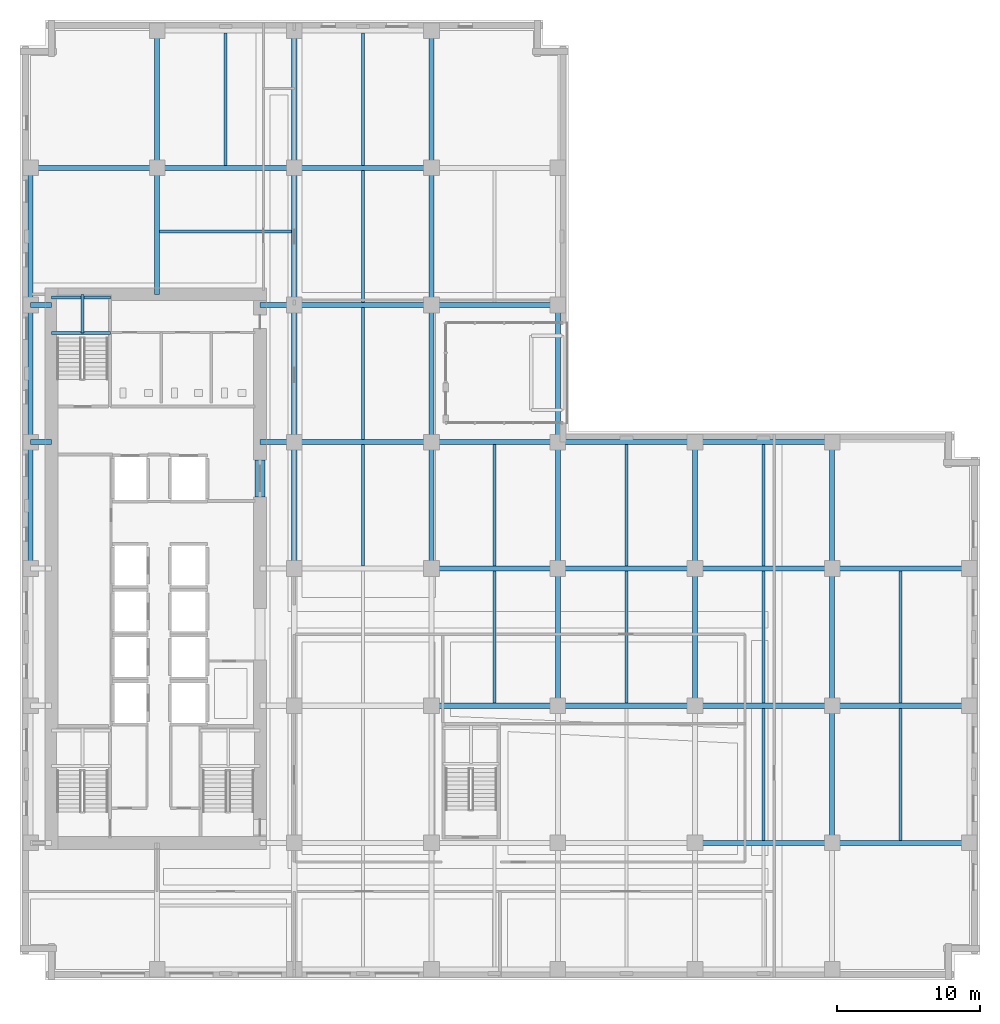
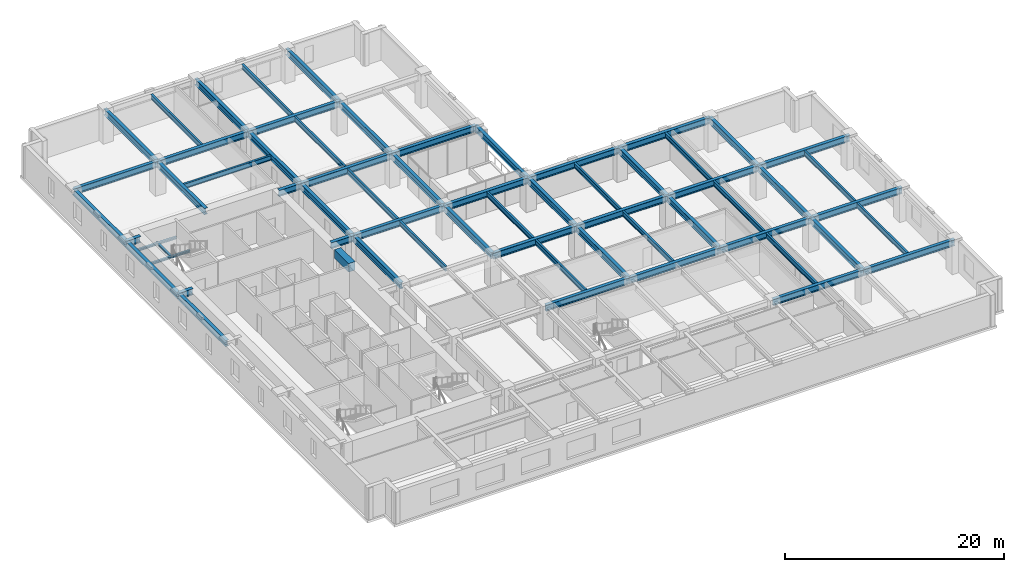
# One storey, part 2 of 16: 63 beams.
"""IFC4 building model written with IfcOpenShell, lengths in metres."""

from ifc_helpers import new_model, si_unit, direction, frame, origin, origin_2d, place, context, subcontext, project, spatial, rectangle, i_section, extrude, material, material_profile, profile_set, type_object, element, save


model = new_model("IFC4")

# Units and contexts
model_context = context("Model", 3, precision=1e-05, world=origin(), true_north=direction((0.0, 1.0)))
body_context = subcontext(model_context, "Body", "Model", "MODEL_VIEW")
ifc_project = project(units=[si_unit("LENGTHUNIT", "METRE"), si_unit("AREAUNIT", "SQUARE_METRE"), si_unit("VOLUMEUNIT", "CUBIC_METRE"), si_unit("PLANEANGLEUNIT", "RADIAN"), si_unit("MASSUNIT", "GRAM", prefix="KILO")], contexts=[model_context])

# Site, building, storey
site_placement = place(None, origin())
site = spatial("IfcSite", under=ifc_project, at=site_placement, CompositionType="ELEMENT")
building_placement = place(site_placement, origin())
building = spatial("IfcBuilding", under=site, at=building_placement, Name="Norrvale University Quadrangle", CompositionType="ELEMENT")
storey_placement = place(building_placement, frame((0.0, 0.0, 58.39990234375)))
storey = spatial("IfcBuildingStorey", under=building, at=storey_placement, Name="L14", CompositionType="ELEMENT", Elevation=58.39990234375)

# Beams
ifc_material_1 = material(Name="Steel 350W", Category="steel")
ifc_material_profile_1 = material_profile(ifc_material_1, i_section(OverallWidth=0.35498046875, OverallDepth=0.695068359375, WebThickness=0.015380859375, FlangeThickness=0.02490234375, FilletRadius=0.01806640625, at=origin_2d()), Name="Steel 350W")
ifc_profile_set_1 = profile_set([ifc_material_profile_1], Name="Steel 350W")
beam_type_1 = type_object("IfcBeamType", Name="Beam Belt W690x217", PredefinedType="BEAM", material=ifc_profile_set_1)
beam_1_placement = place(storey_placement, frame((47.25, 9.60009765625, 3.192626953125), z_axis=(1.0, 0.0, 0.0), x_axis=(0.0, 1.0, 0.0)))
element("IfcBeam", 1, at=beam_1_placement, inside=storey, type_object=beam_type_1, Name="Beam Belt W690x217 BM-L14-GX009", PredefinedType="BEAM", context=body_context, shape_type="SweptSolid", body=[
    extrude(i_section(OverallWidth=0.35498046875, OverallDepth=0.695068359375, WebThickness=0.015380859375, FlangeThickness=0.02490234375, FilletRadius=0.01806640625, at=origin_2d()), origin(), (0.0, 0.0, 1.0), 9.60009765625),
])
beam_2_placement = place(storey_placement, frame((56.85009765625, 9.60009765625, 3.192626953125), z_axis=(1.0, 0.0, 0.0), x_axis=(0.0, 1.0, 0.0)))
element("IfcBeam", 2, at=beam_2_placement, inside=storey, type_object=beam_type_1, Name="Beam Belt W690x217 BM-L14-GX010", PredefinedType="BEAM", context=body_context, shape_type="SweptSolid", body=[
    extrude(i_section(OverallWidth=0.35498046875, OverallDepth=0.695068359375, WebThickness=0.015380859375, FlangeThickness=0.02490234375, FilletRadius=0.01806640625, at=origin_2d()), origin(), (0.0, 0.0, 1.0), 9.599853515625),
])
beam_3_placement = place(storey_placement, frame((28.800048828125, 19.199951171875, 3.192626953125), z_axis=(1.0, 0.0, 0.0), x_axis=(0.0, 1.0, 0.0)))
element("IfcBeam", 3, at=beam_3_placement, inside=storey, type_object=beam_type_1, Name="Beam Belt W690x217 BM-L14-GX012", PredefinedType="BEAM", context=body_context, shape_type="SweptSolid", body=[
    extrude(i_section(OverallWidth=0.35498046875, OverallDepth=0.695068359375, WebThickness=0.015380859375, FlangeThickness=0.02490234375, FilletRadius=0.01806640625, at=origin_2d()), origin(), (0.0, 0.0, 1.0), 8.849853515625),
])
for number, where, z_axis, x_axis, name in (
    (4, (37.64990234375, 19.199951171875, 3.192626953125), (1.0, 0.0, 0.0), (0.0, 1.0, 0.0), "Beam Belt W690x217 BM-L14-GX013"),
    (5, (47.25, 19.199951171875, 3.192626953125), (1.0, 0.0, 0.0), (0.0, 1.0, 0.0), "Beam Belt W690x217 BM-L14-GX014"),
):
    element("IfcBeam", number, at=place(storey_placement, frame(where, z_axis=z_axis, x_axis=x_axis)), inside=storey, type_object=beam_type_1, Name=name, PredefinedType="BEAM", context=body_context, shape_type="SweptSolid", body=[
        extrude(i_section(OverallWidth=0.35498046875, OverallDepth=0.695068359375, WebThickness=0.015380859375, FlangeThickness=0.02490234375, FilletRadius=0.01806640625, at=origin_2d()), origin(), (0.0, 0.0, 1.0), 9.60009765625),
    ])
beam_4_placement = place(storey_placement, frame((56.85009765625, 19.199951171875, 3.192626953125), z_axis=(1.0, 0.0, 0.0), x_axis=(0.0, 1.0, 0.0)))
element("IfcBeam", 6, at=beam_4_placement, inside=storey, type_object=beam_type_1, Name="Beam Belt W690x217 BM-L14-GX015", PredefinedType="BEAM", context=body_context, shape_type="SweptSolid", body=[
    extrude(i_section(OverallWidth=0.35498046875, OverallDepth=0.695068359375, WebThickness=0.015380859375, FlangeThickness=0.02490234375, FilletRadius=0.01806640625, at=origin_2d()), origin(), (0.0, 0.0, 1.0), 9.599853515625),
])
beam_5_placement = place(storey_placement, frame((28.800048828125, 28.800048828125, 3.192626953125), z_axis=(1.0, 0.0, 0.0), x_axis=(0.0, 1.0, 0.0)))
element("IfcBeam", 7, at=beam_5_placement, inside=storey, type_object=beam_type_1, Name="Beam Belt W690x217 BM-L14-GX017", PredefinedType="BEAM", context=body_context, shape_type="SweptSolid", body=[
    extrude(i_section(OverallWidth=0.35498046875, OverallDepth=0.695068359375, WebThickness=0.015380859375, FlangeThickness=0.02490234375, FilletRadius=0.01806640625, at=origin_2d()), origin(), (0.0, 0.0, 1.0), 8.849853515625),
])
for number, where, z_axis, x_axis, name in (
    (8, (37.64990234375, 28.800048828125, 3.192626953125), (1.0, 0.0, 0.0), (0.0, 1.0, 0.0), "Beam Belt W690x217 BM-L14-GX018"),
    (9, (47.25, 28.800048828125, 3.192626953125), (1.0, 0.0, 0.0), (0.0, 1.0, 0.0), "Beam Belt W690x217 BM-L14-GX019"),
):
    element("IfcBeam", number, at=place(storey_placement, frame(where, z_axis=z_axis, x_axis=x_axis)), inside=storey, type_object=beam_type_1, Name=name, PredefinedType="BEAM", context=body_context, shape_type="SweptSolid", body=[
        extrude(i_section(OverallWidth=0.35498046875, OverallDepth=0.695068359375, WebThickness=0.015380859375, FlangeThickness=0.02490234375, FilletRadius=0.01806640625, at=origin_2d()), origin(), (0.0, 0.0, 1.0), 9.60009765625),
    ])
beam_6_placement = place(storey_placement, frame((56.85009765625, 28.800048828125, 3.192626953125), z_axis=(1.0, 0.0, 0.0), x_axis=(0.0, 1.0, 0.0)))
element("IfcBeam", 10, at=beam_6_placement, inside=storey, type_object=beam_type_1, Name="Beam Belt W690x217 BM-L14-GX020", PredefinedType="BEAM", context=body_context, shape_type="SweptSolid", body=[
    extrude(i_section(OverallWidth=0.35498046875, OverallDepth=0.695068359375, WebThickness=0.015380859375, FlangeThickness=0.02490234375, FilletRadius=0.01806640625, at=origin_2d()), origin(), (0.0, 0.0, 1.0), 9.599853515625),
])
beam_7_placement = place(storey_placement, frame((19.199951171875, 37.64990234375, 3.192626953125), z_axis=(1.0, 0.0, 0.0), x_axis=(0.0, 1.0, 0.0)))
element("IfcBeam", 11, at=beam_7_placement, inside=storey, type_object=beam_type_1, Name="Beam Belt W690x217 BM-L14-GX021", PredefinedType="BEAM", context=body_context, shape_type="SweptSolid", body=[
    extrude(i_section(OverallWidth=0.35498046875, OverallDepth=0.695068359375, WebThickness=0.015380859375, FlangeThickness=0.02490234375, FilletRadius=0.01806640625, at=origin_2d()), origin(), (0.0, 0.0, 1.0), 9.60009765625),
])
beam_8_placement = place(storey_placement, frame((28.800048828125, 37.64990234375, 3.192626953125), z_axis=(1.0, 0.0, 0.0), x_axis=(0.0, 1.0, 0.0)))
element("IfcBeam", 12, at=beam_8_placement, inside=storey, type_object=beam_type_1, Name="Beam Belt W690x217 BM-L14-GX022", PredefinedType="BEAM", context=body_context, shape_type="SweptSolid", body=[
    extrude(i_section(OverallWidth=0.35498046875, OverallDepth=0.695068359375, WebThickness=0.015380859375, FlangeThickness=0.02490234375, FilletRadius=0.01806640625, at=origin_2d()), origin(), (0.0, 0.0, 1.0), 8.849853515625),
])
for number, where, z_axis, x_axis, name in (
    (13, (37.64990234375, 37.64990234375, 3.192626953125), (1.0, 0.0, 0.0), (0.0, 1.0, 0.0), "Beam Belt W690x217 BM-L14-GX023"),
    (14, (47.25, 37.64990234375, 3.192626953125), (1.0, 0.0, 0.0), (0.0, 1.0, 0.0), "Beam Belt W690x217 BM-L14-GX024"),
    (15, (19.199951171875, 47.25, 3.192626953125), (1.0, 0.0, 0.0), (0.0, 1.0, 0.0), "Beam Belt W690x217 BM-L14-GX025"),
):
    element("IfcBeam", number, at=place(storey_placement, frame(where, z_axis=z_axis, x_axis=x_axis)), inside=storey, type_object=beam_type_1, Name=name, PredefinedType="BEAM", context=body_context, shape_type="SweptSolid", body=[
        extrude(i_section(OverallWidth=0.35498046875, OverallDepth=0.695068359375, WebThickness=0.015380859375, FlangeThickness=0.02490234375, FilletRadius=0.01806640625, at=origin_2d()), origin(), (0.0, 0.0, 1.0), 9.60009765625),
    ])
beam_9_placement = place(storey_placement, frame((28.800048828125, 47.25, 3.192626953125), z_axis=(1.0, 0.0, 0.0), x_axis=(0.0, 1.0, 0.0)))
element("IfcBeam", 16, at=beam_9_placement, inside=storey, type_object=beam_type_1, Name="Beam Belt W690x217 BM-L14-GX026", PredefinedType="BEAM", context=body_context, shape_type="SweptSolid", body=[
    extrude(i_section(OverallWidth=0.35498046875, OverallDepth=0.695068359375, WebThickness=0.015380859375, FlangeThickness=0.02490234375, FilletRadius=0.01806640625, at=origin_2d()), origin(), (0.0, 0.0, 1.0), 8.849853515625),
])
beam_10_placement = place(storey_placement, frame((0.75, 56.85009765625, 3.192626953125), z_axis=(1.0, 0.0, 0.0), x_axis=(0.0, 1.0, 0.0)))
element("IfcBeam", 17, at=beam_10_placement, inside=storey, type_object=beam_type_1, Name="Beam Belt W690x217 BM-L14-GX027", PredefinedType="BEAM", context=body_context, shape_type="SweptSolid", body=[
    extrude(i_section(OverallWidth=0.35498046875, OverallDepth=0.695068359375, WebThickness=0.015380859375, FlangeThickness=0.02490234375, FilletRadius=0.01806640625, at=origin_2d()), origin(), (0.0, 0.0, 1.0), 8.85009765625),
])
beam_11_placement = place(storey_placement, frame((9.60009765625, 56.85009765625, 3.192626953125), z_axis=(1.0, 0.0, 0.0), x_axis=(0.0, 1.0, 0.0)))
element("IfcBeam", 18, at=beam_11_placement, inside=storey, type_object=beam_type_1, Name="Beam Belt W690x217 BM-L14-GX028", PredefinedType="BEAM", context=body_context, shape_type="SweptSolid", body=[
    extrude(i_section(OverallWidth=0.35498046875, OverallDepth=0.695068359375, WebThickness=0.015380859375, FlangeThickness=0.02490234375, FilletRadius=0.01806640625, at=origin_2d()), origin(), (0.0, 0.0, 1.0), 9.599853515625),
])
beam_12_placement = place(storey_placement, frame((19.199951171875, 56.85009765625, 3.192626953125), z_axis=(1.0, 0.0, 0.0), x_axis=(0.0, 1.0, 0.0)))
element("IfcBeam", 19, at=beam_12_placement, inside=storey, type_object=beam_type_1, Name="Beam Belt W690x217 BM-L14-GX029", PredefinedType="BEAM", context=body_context, shape_type="SweptSolid", body=[
    extrude(i_section(OverallWidth=0.35498046875, OverallDepth=0.695068359375, WebThickness=0.015380859375, FlangeThickness=0.02490234375, FilletRadius=0.01806640625, at=origin_2d()), origin(), (0.0, 0.0, 1.0), 9.60009765625),
])
beam_13_placement = place(storey_placement, frame((0.75, 28.800048828125, 3.192626953125), z_axis=(0.0, 1.0, 0.0), x_axis=(-1.0, 0.0, 0.0)))
element("IfcBeam", 20, at=beam_13_placement, inside=storey, type_object=beam_type_1, Name="Beam Belt W690x217 BM-L14-GY035", PredefinedType="BEAM", context=body_context, shape_type="SweptSolid", body=[
    extrude(i_section(OverallWidth=0.35498046875, OverallDepth=0.695068359375, WebThickness=0.015380859375, FlangeThickness=0.02490234375, FilletRadius=0.01806640625, at=origin_2d()), origin(), (0.0, 0.0, 1.0), 8.849853515625),
])
for number, where, z_axis, x_axis, name in (
    (21, (0.75, 37.64990234375, 3.192626953125), (0.0, 1.0, 0.0), (-1.0, 0.0, 0.0), "Beam Belt W690x217 BM-L14-GY036"),
    (22, (0.75, 47.25, 3.192626953125), (0.0, 1.0, 0.0), (-1.0, 0.0, 0.0), "Beam Belt W690x217 BM-L14-GY037"),
):
    element("IfcBeam", number, at=place(storey_placement, frame(where, z_axis=z_axis, x_axis=x_axis)), inside=storey, type_object=beam_type_1, Name=name, PredefinedType="BEAM", context=body_context, shape_type="SweptSolid", body=[
        extrude(i_section(OverallWidth=0.35498046875, OverallDepth=0.695068359375, WebThickness=0.015380859375, FlangeThickness=0.02490234375, FilletRadius=0.01806640625, at=origin_2d()), origin(), (0.0, 0.0, 1.0), 9.60009765625),
    ])
beam_14_placement = place(storey_placement, frame((9.60009765625, 56.85009765625, 3.192626953125), z_axis=(0.0, 1.0, 0.0), x_axis=(-1.0, 0.0, 0.0)))
element("IfcBeam", 23, at=beam_14_placement, inside=storey, type_object=beam_type_1, Name="Beam Belt W690x217 BM-L14-GY038", PredefinedType="BEAM", context=body_context, shape_type="SweptSolid", body=[
    extrude(i_section(OverallWidth=0.35498046875, OverallDepth=0.695068359375, WebThickness=0.015380859375, FlangeThickness=0.02490234375, FilletRadius=0.01806640625, at=origin_2d()), origin(), (0.0, 0.0, 1.0), 9.599853515625),
])
beam_15_placement = place(storey_placement, frame((19.199951171875, 28.800048828125, 3.192626953125), z_axis=(0.0, 1.0, 0.0), x_axis=(-1.0, 0.0, 0.0)))
element("IfcBeam", 24, at=beam_15_placement, inside=storey, type_object=beam_type_1, Name="Beam Belt W690x217 BM-L14-GY042", PredefinedType="BEAM", context=body_context, shape_type="SweptSolid", body=[
    extrude(i_section(OverallWidth=0.35498046875, OverallDepth=0.695068359375, WebThickness=0.015380859375, FlangeThickness=0.02490234375, FilletRadius=0.01806640625, at=origin_2d()), origin(), (0.0, 0.0, 1.0), 8.849853515625),
])
for number, where, z_axis, x_axis, name in (
    (25, (19.199951171875, 37.64990234375, 3.192626953125), (0.0, 1.0, 0.0), (-1.0, 0.0, 0.0), "Beam Belt W690x217 BM-L14-GY043"),
    (26, (19.199951171875, 47.25, 3.192626953125), (0.0, 1.0, 0.0), (-1.0, 0.0, 0.0), "Beam Belt W690x217 BM-L14-GY044"),
):
    element("IfcBeam", number, at=place(storey_placement, frame(where, z_axis=z_axis, x_axis=x_axis)), inside=storey, type_object=beam_type_1, Name=name, PredefinedType="BEAM", context=body_context, shape_type="SweptSolid", body=[
        extrude(i_section(OverallWidth=0.35498046875, OverallDepth=0.695068359375, WebThickness=0.015380859375, FlangeThickness=0.02490234375, FilletRadius=0.01806640625, at=origin_2d()), origin(), (0.0, 0.0, 1.0), 9.60009765625),
    ])
beam_16_placement = place(storey_placement, frame((19.199951171875, 56.85009765625, 3.192626953125), z_axis=(0.0, 1.0, 0.0), x_axis=(-1.0, 0.0, 0.0)))
element("IfcBeam", 27, at=beam_16_placement, inside=storey, type_object=beam_type_1, Name="Beam Belt W690x217 BM-L14-GY045", PredefinedType="BEAM", context=body_context, shape_type="SweptSolid", body=[
    extrude(i_section(OverallWidth=0.35498046875, OverallDepth=0.695068359375, WebThickness=0.015380859375, FlangeThickness=0.02490234375, FilletRadius=0.01806640625, at=origin_2d()), origin(), (0.0, 0.0, 1.0), 9.599853515625),
])
beam_17_placement = place(storey_placement, frame((28.800048828125, 28.800048828125, 3.192626953125), z_axis=(0.0, 1.0, 0.0), x_axis=(-1.0, 0.0, 0.0)))
element("IfcBeam", 28, at=beam_17_placement, inside=storey, type_object=beam_type_1, Name="Beam Belt W690x217 BM-L14-GY049", PredefinedType="BEAM", context=body_context, shape_type="SweptSolid", body=[
    extrude(i_section(OverallWidth=0.35498046875, OverallDepth=0.695068359375, WebThickness=0.015380859375, FlangeThickness=0.02490234375, FilletRadius=0.01806640625, at=origin_2d()), origin(), (0.0, 0.0, 1.0), 8.849853515625),
])
for number, where, z_axis, x_axis, name in (
    (29, (28.800048828125, 37.64990234375, 3.192626953125), (0.0, 1.0, 0.0), (-1.0, 0.0, 0.0), "Beam Belt W690x217 BM-L14-GY050"),
    (30, (28.800048828125, 47.25, 3.192626953125), (0.0, 1.0, 0.0), (-1.0, 0.0, 0.0), "Beam Belt W690x217 BM-L14-GY051"),
):
    element("IfcBeam", number, at=place(storey_placement, frame(where, z_axis=z_axis, x_axis=x_axis)), inside=storey, type_object=beam_type_1, Name=name, PredefinedType="BEAM", context=body_context, shape_type="SweptSolid", body=[
        extrude(i_section(OverallWidth=0.35498046875, OverallDepth=0.695068359375, WebThickness=0.015380859375, FlangeThickness=0.02490234375, FilletRadius=0.01806640625, at=origin_2d()), origin(), (0.0, 0.0, 1.0), 9.60009765625),
    ])
beam_18_placement = place(storey_placement, frame((28.800048828125, 56.85009765625, 3.192626953125), z_axis=(0.0, 1.0, 0.0), x_axis=(-1.0, 0.0, 0.0)))
element("IfcBeam", 31, at=beam_18_placement, inside=storey, type_object=beam_type_1, Name="Beam Belt W690x217 BM-L14-GY052", PredefinedType="BEAM", context=body_context, shape_type="SweptSolid", body=[
    extrude(i_section(OverallWidth=0.35498046875, OverallDepth=0.695068359375, WebThickness=0.015380859375, FlangeThickness=0.02490234375, FilletRadius=0.01806640625, at=origin_2d()), origin(), (0.0, 0.0, 1.0), 9.599853515625),
])
beam_19_placement = place(storey_placement, frame((37.64990234375, 19.199951171875, 3.192626953125), z_axis=(0.0, 1.0, 0.0), x_axis=(-1.0, 0.0, 0.0)))
element("IfcBeam", 32, at=beam_19_placement, inside=storey, type_object=beam_type_1, Name="Beam Belt W690x217 BM-L14-GY055", PredefinedType="BEAM", context=body_context, shape_type="SweptSolid", body=[
    extrude(i_section(OverallWidth=0.35498046875, OverallDepth=0.695068359375, WebThickness=0.015380859375, FlangeThickness=0.02490234375, FilletRadius=0.01806640625, at=origin_2d()), origin(), (0.0, 0.0, 1.0), 9.60009765625),
])
beam_20_placement = place(storey_placement, frame((37.64990234375, 28.800048828125, 3.192626953125), z_axis=(0.0, 1.0, 0.0), x_axis=(-1.0, 0.0, 0.0)))
element("IfcBeam", 33, at=beam_20_placement, inside=storey, type_object=beam_type_1, Name="Beam Belt W690x217 BM-L14-GY056", PredefinedType="BEAM", context=body_context, shape_type="SweptSolid", body=[
    extrude(i_section(OverallWidth=0.35498046875, OverallDepth=0.695068359375, WebThickness=0.015380859375, FlangeThickness=0.02490234375, FilletRadius=0.01806640625, at=origin_2d()), origin(), (0.0, 0.0, 1.0), 8.849853515625),
])
for number, where, z_axis, x_axis, name in (
    (34, (37.64990234375, 37.64990234375, 3.192626953125), (0.0, 1.0, 0.0), (-1.0, 0.0, 0.0), "Beam Belt W690x217 BM-L14-GY057"),
    (35, (47.25, 19.199951171875, 3.192626953125), (0.0, 1.0, 0.0), (-1.0, 0.0, 0.0), "Beam Belt W690x217 BM-L14-GY061"),
):
    element("IfcBeam", number, at=place(storey_placement, frame(where, z_axis=z_axis, x_axis=x_axis)), inside=storey, type_object=beam_type_1, Name=name, PredefinedType="BEAM", context=body_context, shape_type="SweptSolid", body=[
        extrude(i_section(OverallWidth=0.35498046875, OverallDepth=0.695068359375, WebThickness=0.015380859375, FlangeThickness=0.02490234375, FilletRadius=0.01806640625, at=origin_2d()), origin(), (0.0, 0.0, 1.0), 9.60009765625),
    ])
beam_21_placement = place(storey_placement, frame((47.25, 28.800048828125, 3.192626953125), z_axis=(0.0, 1.0, 0.0), x_axis=(-1.0, 0.0, 0.0)))
element("IfcBeam", 36, at=beam_21_placement, inside=storey, type_object=beam_type_1, Name="Beam Belt W690x217 BM-L14-GY062", PredefinedType="BEAM", context=body_context, shape_type="SweptSolid", body=[
    extrude(i_section(OverallWidth=0.35498046875, OverallDepth=0.695068359375, WebThickness=0.015380859375, FlangeThickness=0.02490234375, FilletRadius=0.01806640625, at=origin_2d()), origin(), (0.0, 0.0, 1.0), 8.849853515625),
])
beam_22_placement = place(storey_placement, frame((56.85009765625, 9.60009765625, 3.192626953125), z_axis=(0.0, 1.0, 0.0), x_axis=(-1.0, 0.0, 0.0)))
element("IfcBeam", 37, at=beam_22_placement, inside=storey, type_object=beam_type_1, Name="Beam Belt W690x217 BM-L14-GY064", PredefinedType="BEAM", context=body_context, shape_type="SweptSolid", body=[
    extrude(i_section(OverallWidth=0.35498046875, OverallDepth=0.695068359375, WebThickness=0.015380859375, FlangeThickness=0.02490234375, FilletRadius=0.01806640625, at=origin_2d()), origin(), (0.0, 0.0, 1.0), 9.599853515625),
])
beam_23_placement = place(storey_placement, frame((56.85009765625, 19.199951171875, 3.192626953125), z_axis=(0.0, 1.0, 0.0), x_axis=(-1.0, 0.0, 0.0)))
element("IfcBeam", 38, at=beam_23_placement, inside=storey, type_object=beam_type_1, Name="Beam Belt W690x217 BM-L14-GY065", PredefinedType="BEAM", context=body_context, shape_type="SweptSolid", body=[
    extrude(i_section(OverallWidth=0.35498046875, OverallDepth=0.695068359375, WebThickness=0.015380859375, FlangeThickness=0.02490234375, FilletRadius=0.01806640625, at=origin_2d()), origin(), (0.0, 0.0, 1.0), 9.60009765625),
])
beam_24_placement = place(storey_placement, frame((56.85009765625, 28.800048828125, 3.192626953125), z_axis=(0.0, 1.0, 0.0), x_axis=(-1.0, 0.0, 0.0)))
element("IfcBeam", 39, at=beam_24_placement, inside=storey, type_object=beam_type_1, Name="Beam Belt W690x217 BM-L14-GY066", PredefinedType="BEAM", context=body_context, shape_type="SweptSolid", body=[
    extrude(i_section(OverallWidth=0.35498046875, OverallDepth=0.695068359375, WebThickness=0.015380859375, FlangeThickness=0.02490234375, FilletRadius=0.01806640625, at=origin_2d()), origin(), (0.0, 0.0, 1.0), 8.849853515625),
])
beam_25_placement = place(storey_placement, frame((0.75, 37.64990234375, 3.192626953125), z_axis=(1.0, 0.0, 0.0), x_axis=(0.0, 1.0, 0.0)))
element("IfcBeam", 40, at=beam_25_placement, inside=storey, type_object=beam_type_1, Name="Beam Belt W690x217 BM-L14-GCW075", PredefinedType="BEAM", context=body_context, shape_type="SweptSolid", body=[
    extrude(i_section(OverallWidth=0.35498046875, OverallDepth=0.695068359375, WebThickness=0.015380859375, FlangeThickness=0.02490234375, FilletRadius=0.01806640625, at=origin_2d()), origin(), (0.0, 0.0, 1.0), 1.449951171875),
])
beam_26_placement = place(storey_placement, frame((16.800048828125, 37.64990234375, 3.192626953125), z_axis=(1.0, 0.0, 0.0), x_axis=(0.0, 1.0, 0.0)))
element("IfcBeam", 41, at=beam_26_placement, inside=storey, type_object=beam_type_1, Name="Beam Belt W690x217 BM-L14-GCE076", PredefinedType="BEAM", context=body_context, shape_type="SweptSolid", body=[
    extrude(i_section(OverallWidth=0.35498046875, OverallDepth=0.695068359375, WebThickness=0.015380859375, FlangeThickness=0.02490234375, FilletRadius=0.01806640625, at=origin_2d()), origin(), (0.0, 0.0, 1.0), 2.39990234375),
])
beam_27_placement = place(storey_placement, frame((0.75, 47.25, 3.192626953125), z_axis=(1.0, 0.0, 0.0), x_axis=(0.0, 1.0, 0.0)))
element("IfcBeam", 42, at=beam_27_placement, inside=storey, type_object=beam_type_1, Name="Beam Belt W690x217 BM-L14-GCW077", PredefinedType="BEAM", context=body_context, shape_type="SweptSolid", body=[
    extrude(i_section(OverallWidth=0.35498046875, OverallDepth=0.695068359375, WebThickness=0.015380859375, FlangeThickness=0.02490234375, FilletRadius=0.01806640625, at=origin_2d()), origin(), (0.0, 0.0, 1.0), 1.449951171875),
])
beam_28_placement = place(storey_placement, frame((16.800048828125, 47.25, 3.192626953125), z_axis=(1.0, 0.0, 0.0), x_axis=(0.0, 1.0, 0.0)))
element("IfcBeam", 43, at=beam_28_placement, inside=storey, type_object=beam_type_1, Name="Beam Belt W690x217 BM-L14-GCE078", PredefinedType="BEAM", context=body_context, shape_type="SweptSolid", body=[
    extrude(i_section(OverallWidth=0.35498046875, OverallDepth=0.695068359375, WebThickness=0.015380859375, FlangeThickness=0.02490234375, FilletRadius=0.01806640625, at=origin_2d()), origin(), (0.0, 0.0, 1.0), 2.39990234375),
])
beam_29_placement = place(storey_placement, frame((9.60009765625, 48.0, 3.192626953125), z_axis=(0.0, 1.0, 0.0), x_axis=(-1.0, 0.0, 0.0)))
element("IfcBeam", 44, at=beam_29_placement, inside=storey, type_object=beam_type_1, Name="Beam Belt W690x217 BM-L14-GCN103", PredefinedType="BEAM", context=body_context, shape_type="SweptSolid", body=[
    extrude(i_section(OverallWidth=0.35498046875, OverallDepth=0.695068359375, WebThickness=0.015380859375, FlangeThickness=0.02490234375, FilletRadius=0.01806640625, at=origin_2d()), origin(), (0.0, 0.0, 1.0), 8.85009765625),
])
ifc_material_2 = material(Name="Concrete C80/95", Category="concrete")
ifc_material_profile_2 = material_profile(ifc_material_2, rectangle(XDim=0.699951171875, YDim=0.949951171875, at=origin_2d()), Name="Concrete C80/95")
ifc_profile_set_2 = profile_set([ifc_material_profile_2], Name="Concrete C80/95")
beam_type_2 = type_object("IfcBeamType", Name="Beam Core Link 700x950", PredefinedType="LINTEL", material=ifc_profile_set_2)
beam_30_placement = place(storey_placement, frame((16.800048828125, 33.800048828125, 3.065185546875), z_axis=(0.0, 1.0, 0.0), x_axis=(-1.0, 0.0, 0.0)))
element("IfcBeam", 45, at=beam_30_placement, inside=storey, type_object=beam_type_2, Name="Core Coupling Lintel Beam L14-2", PredefinedType="LINTEL", context=body_context, shape_type="SweptSolid", body=[
    extrude(rectangle(XDim=0.699951171875, YDim=0.949951171875, at=origin_2d()), origin(), (0.0, 0.0, 1.0), 2.599853515625),
])
ifc_material_profile_3 = material_profile(ifc_material_1, i_section(OverallWidth=0.2119140625, OverallDepth=0.5439453125, WebThickness=0.01318359375, FlangeThickness=0.021240234375, FilletRadius=0.013916015625, at=origin_2d()), Name="Steel 350W")
ifc_profile_set_3 = profile_set([ifc_material_profile_3], Name="Steel 350W")
beam_type_3 = type_object("IfcBeamType", Name="Beam Floor W530x123", PredefinedType="BEAM", material=ifc_profile_set_3)
beam_31_placement = place(storey_placement, frame((14.39990234375, 57.027587890625, 3.26806640625), z_axis=(0.0, 1.0, 0.0), x_axis=(-1.0, 0.0, 0.0)))
element("IfcBeam", 46, at=beam_31_placement, inside=storey, type_object=beam_type_3, Name="Beam Floor W530x123 BM-L14-J079", PredefinedType="BEAM", context=body_context, shape_type="SweptSolid", body=[
    extrude(i_section(OverallWidth=0.2119140625, OverallDepth=0.5439453125, WebThickness=0.01318359375, FlangeThickness=0.021240234375, FilletRadius=0.013916015625, at=origin_2d()), origin(), (0.0, 0.0, 1.0), 9.244873046875),
])
beam_32_placement = place(storey_placement, frame((24.0, 28.9775390625, 3.26806640625), z_axis=(0.0, 1.0, 0.0), x_axis=(-1.0, 0.0, 0.0)))
element("IfcBeam", 47, at=beam_32_placement, inside=storey, type_object=beam_type_3, Name="Beam Floor W530x123 BM-L14-J083", PredefinedType="BEAM", context=body_context, shape_type="SweptSolid", body=[
    extrude(i_section(OverallWidth=0.2119140625, OverallDepth=0.5439453125, WebThickness=0.01318359375, FlangeThickness=0.021240234375, FilletRadius=0.013916015625, at=origin_2d()), origin(), (0.0, 0.0, 1.0), 8.494873046875),
])
for number, where, z_axis, x_axis, name in (
    (48, (24.0, 37.827392578125, 3.26806640625), (0.0, 1.0, 0.0), (-1.0, 0.0, 0.0), "Beam Floor W530x123 BM-L14-J084"),
    (49, (24.0, 47.427490234375, 3.26806640625), (0.0, 1.0, 0.0), (-1.0, 0.0, 0.0), "Beam Floor W530x123 BM-L14-J085"),
):
    element("IfcBeam", number, at=place(storey_placement, frame(where, z_axis=z_axis, x_axis=x_axis)), inside=storey, type_object=beam_type_3, Name=name, PredefinedType="BEAM", context=body_context, shape_type="SweptSolid", body=[
        extrude(i_section(OverallWidth=0.2119140625, OverallDepth=0.5439453125, WebThickness=0.01318359375, FlangeThickness=0.021240234375, FilletRadius=0.013916015625, at=origin_2d()), origin(), (0.0, 0.0, 1.0), 9.2451171875),
    ])
beam_33_placement = place(storey_placement, frame((24.0, 57.027587890625, 3.26806640625), z_axis=(0.0, 1.0, 0.0), x_axis=(-1.0, 0.0, 0.0)))
element("IfcBeam", 50, at=beam_33_placement, inside=storey, type_object=beam_type_3, Name="Beam Floor W530x123 BM-L14-J086", PredefinedType="BEAM", context=body_context, shape_type="SweptSolid", body=[
    extrude(i_section(OverallWidth=0.2119140625, OverallDepth=0.5439453125, WebThickness=0.01318359375, FlangeThickness=0.021240234375, FilletRadius=0.013916015625, at=origin_2d()), origin(), (0.0, 0.0, 1.0), 9.244873046875),
])
beam_34_placement = place(storey_placement, frame((33.22509765625, 19.37744140625, 3.26806640625), z_axis=(0.0, 1.0, 0.0), x_axis=(-1.0, 0.0, 0.0)))
element("IfcBeam", 51, at=beam_34_placement, inside=storey, type_object=beam_type_3, Name="Beam Floor W530x123 BM-L14-J088", PredefinedType="BEAM", context=body_context, shape_type="SweptSolid", body=[
    extrude(i_section(OverallWidth=0.2119140625, OverallDepth=0.5439453125, WebThickness=0.01318359375, FlangeThickness=0.021240234375, FilletRadius=0.013916015625, at=origin_2d()), origin(), (0.0, 0.0, 1.0), 9.2451171875),
])
beam_35_placement = place(storey_placement, frame((33.22509765625, 28.9775390625, 3.26806640625), z_axis=(0.0, 1.0, 0.0), x_axis=(-1.0, 0.0, 0.0)))
element("IfcBeam", 52, at=beam_35_placement, inside=storey, type_object=beam_type_3, Name="Beam Floor W530x123 BM-L14-J089", PredefinedType="BEAM", context=body_context, shape_type="SweptSolid", body=[
    extrude(i_section(OverallWidth=0.2119140625, OverallDepth=0.5439453125, WebThickness=0.01318359375, FlangeThickness=0.021240234375, FilletRadius=0.013916015625, at=origin_2d()), origin(), (0.0, 0.0, 1.0), 8.494873046875),
])
beam_36_placement = place(storey_placement, frame((42.449951171875, 19.37744140625, 3.26806640625), z_axis=(0.0, 1.0, 0.0), x_axis=(-1.0, 0.0, 0.0)))
element("IfcBeam", 53, at=beam_36_placement, inside=storey, type_object=beam_type_3, Name="Beam Floor W530x123 BM-L14-J093", PredefinedType="BEAM", context=body_context, shape_type="SweptSolid", body=[
    extrude(i_section(OverallWidth=0.2119140625, OverallDepth=0.5439453125, WebThickness=0.01318359375, FlangeThickness=0.021240234375, FilletRadius=0.013916015625, at=origin_2d()), origin(), (0.0, 0.0, 1.0), 9.2451171875),
])
beam_37_placement = place(storey_placement, frame((42.449951171875, 28.9775390625, 3.26806640625), z_axis=(0.0, 1.0, 0.0), x_axis=(-1.0, 0.0, 0.0)))
element("IfcBeam", 54, at=beam_37_placement, inside=storey, type_object=beam_type_3, Name="Beam Floor W530x123 BM-L14-J094", PredefinedType="BEAM", context=body_context, shape_type="SweptSolid", body=[
    extrude(i_section(OverallWidth=0.2119140625, OverallDepth=0.5439453125, WebThickness=0.01318359375, FlangeThickness=0.021240234375, FilletRadius=0.013916015625, at=origin_2d()), origin(), (0.0, 0.0, 1.0), 8.494873046875),
])
beam_38_placement = place(storey_placement, frame((52.050048828125, 9.777587890625, 3.26806640625), z_axis=(0.0, 1.0, 0.0), x_axis=(-1.0, 0.0, 0.0)))
element("IfcBeam", 55, at=beam_38_placement, inside=storey, type_object=beam_type_3, Name="Beam Floor W530x123 BM-L14-J096", PredefinedType="BEAM", context=body_context, shape_type="SweptSolid", body=[
    extrude(i_section(OverallWidth=0.2119140625, OverallDepth=0.5439453125, WebThickness=0.01318359375, FlangeThickness=0.021240234375, FilletRadius=0.013916015625, at=origin_2d()), origin(), (0.0, 0.0, 1.0), 9.244873046875),
])
beam_39_placement = place(storey_placement, frame((52.050048828125, 19.37744140625, 3.26806640625), z_axis=(0.0, 1.0, 0.0), x_axis=(-1.0, 0.0, 0.0)))
element("IfcBeam", 56, at=beam_39_placement, inside=storey, type_object=beam_type_3, Name="Beam Floor W530x123 BM-L14-J097", PredefinedType="BEAM", context=body_context, shape_type="SweptSolid", body=[
    extrude(i_section(OverallWidth=0.2119140625, OverallDepth=0.5439453125, WebThickness=0.01318359375, FlangeThickness=0.021240234375, FilletRadius=0.013916015625, at=origin_2d()), origin(), (0.0, 0.0, 1.0), 9.2451171875),
])
beam_40_placement = place(storey_placement, frame((52.050048828125, 28.9775390625, 3.26806640625), z_axis=(0.0, 1.0, 0.0), x_axis=(-1.0, 0.0, 0.0)))
element("IfcBeam", 57, at=beam_40_placement, inside=storey, type_object=beam_type_3, Name="Beam Floor W530x123 BM-L14-J098", PredefinedType="BEAM", context=body_context, shape_type="SweptSolid", body=[
    extrude(i_section(OverallWidth=0.2119140625, OverallDepth=0.5439453125, WebThickness=0.01318359375, FlangeThickness=0.021240234375, FilletRadius=0.013916015625, at=origin_2d()), origin(), (0.0, 0.0, 1.0), 8.494873046875),
])
beam_41_placement = place(storey_placement, frame((61.64990234375, 9.777587890625, 3.26806640625), z_axis=(0.0, 1.0, 0.0), x_axis=(-1.0, 0.0, 0.0)))
element("IfcBeam", 58, at=beam_41_placement, inside=storey, type_object=beam_type_3, Name="Beam Floor W530x123 BM-L14-J099", PredefinedType="BEAM", context=body_context, shape_type="SweptSolid", body=[
    extrude(i_section(OverallWidth=0.2119140625, OverallDepth=0.5439453125, WebThickness=0.01318359375, FlangeThickness=0.021240234375, FilletRadius=0.013916015625, at=origin_2d()), origin(), (0.0, 0.0, 1.0), 9.244873046875),
])
beam_42_placement = place(storey_placement, frame((61.64990234375, 19.37744140625, 3.26806640625), z_axis=(0.0, 1.0, 0.0), x_axis=(-1.0, 0.0, 0.0)))
element("IfcBeam", 59, at=beam_42_placement, inside=storey, type_object=beam_type_3, Name="Beam Floor W530x123 BM-L14-J100", PredefinedType="BEAM", context=body_context, shape_type="SweptSolid", body=[
    extrude(i_section(OverallWidth=0.2119140625, OverallDepth=0.5439453125, WebThickness=0.01318359375, FlangeThickness=0.021240234375, FilletRadius=0.013916015625, at=origin_2d()), origin(), (0.0, 0.0, 1.0), 9.2451171875),
])
beam_43_placement = place(storey_placement, frame((9.777587890625, 52.39990234375, 3.26806640625), z_axis=(1.0, 0.0, 0.0), x_axis=(0.0, 1.0, 0.0)))
element("IfcBeam", 60, at=beam_43_placement, inside=storey, type_object=beam_type_3, Name="Beam Floor W530x123 BM-L14-JCN104", PredefinedType="BEAM", context=body_context, shape_type="SweptSolid", body=[
    extrude(i_section(OverallWidth=0.2119140625, OverallDepth=0.5439453125, WebThickness=0.01318359375, FlangeThickness=0.021240234375, FilletRadius=0.013916015625, at=origin_2d()), origin(), (0.0, 0.0, 1.0), 9.244873046875),
])
ifc_material_profile_4 = material_profile(ifc_material_1, i_section(OverallWidth=0.201904296875, OverallDepth=0.2470703125, WebThickness=0.00732421875, FlangeThickness=0.010986328125, FilletRadius=0.011962890625, at=origin_2d()), Name="Steel 350W")
ifc_profile_set_4 = profile_set([ifc_material_profile_4], Name="Steel 350W")
beam_type_4 = type_object("IfcBeamType", Name="Beam Stair W250x49", PredefinedType="BEAM", material=ifc_profile_set_4)
for number, where, z_axis, x_axis, name in (
    (61, (2.199951171875, 45.2900390625, 1.57666015625), (1.0, 0.0, 0.0), (0.0, 1.0, 0.0), "Stair Mid-Landing Front Beam ST-02 L14"),
    (62, (2.199951171875, 47.77001953125, 1.57666015625), (1.0, 0.0, 0.0), (0.0, 1.0, 0.0), "Stair Mid-Landing Rear Beam ST-02 L14"),
):
    element("IfcBeam", number, at=place(storey_placement, frame(where, z_axis=z_axis, x_axis=x_axis)), inside=storey, type_object=beam_type_4, Name=name, PredefinedType="BEAM", context=body_context, shape_type="SweptSolid", body=[
        extrude(i_section(OverallWidth=0.201904296875, OverallDepth=0.2470703125, WebThickness=0.00732421875, FlangeThickness=0.010986328125, FilletRadius=0.011962890625, at=origin_2d()), origin(), (0.0, 0.0, 1.0), 4.14013671875),
    ])
ifc_material_profile_5 = material_profile(ifc_material_1, i_section(OverallWidth=0.202880859375, OverallDepth=0.202880859375, WebThickness=0.007080078125, FlangeThickness=0.010986328125, FilletRadius=0.010009765625, at=origin_2d()), Name="Steel 350W")
ifc_profile_set_5 = profile_set([ifc_material_profile_5], Name="Steel 350W")
beam_type_5 = type_object("IfcBeamType", Name="Beam Trim W200x46", PredefinedType="BEAM", material=ifc_profile_set_5)
beam_44_placement = place(storey_placement, frame((4.375, 45.2900390625, 1.5986328125), z_axis=(0.0, 1.0, 0.0), x_axis=(-1.0, 0.0, 0.0)))
element("IfcBeam", 63, at=beam_44_placement, inside=storey, type_object=beam_type_5, Name="Stair Mid-Landing Cross Beam ST-02 L14", PredefinedType="BEAM", context=body_context, shape_type="SweptSolid", body=[
    extrude(i_section(OverallWidth=0.202880859375, OverallDepth=0.202880859375, WebThickness=0.007080078125, FlangeThickness=0.010986328125, FilletRadius=0.010009765625, at=origin_2d()), origin(), (0.0, 0.0, 1.0), 2.7099609375),
])

save(model, "model.ifc")
